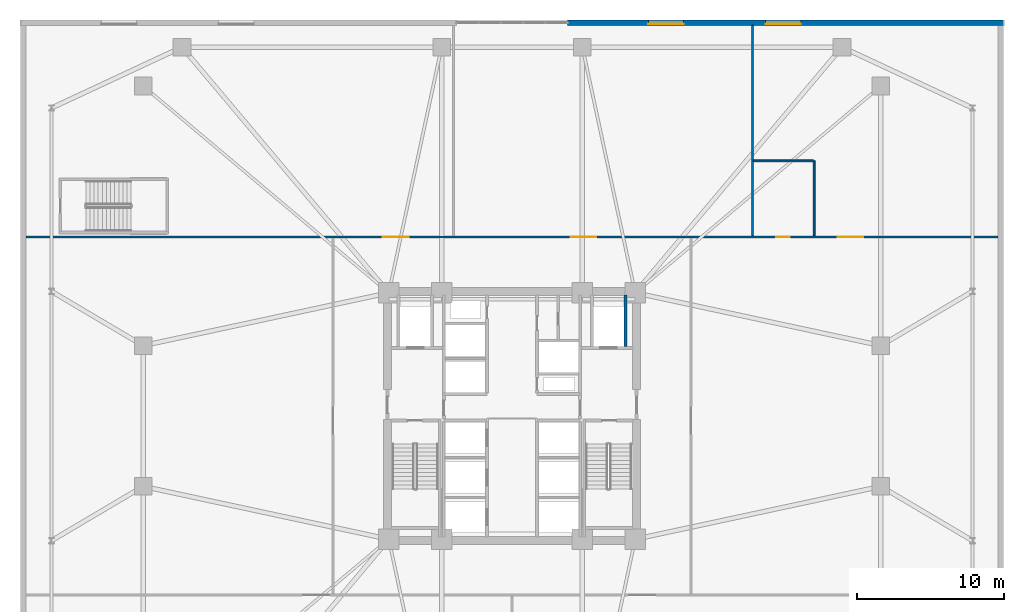
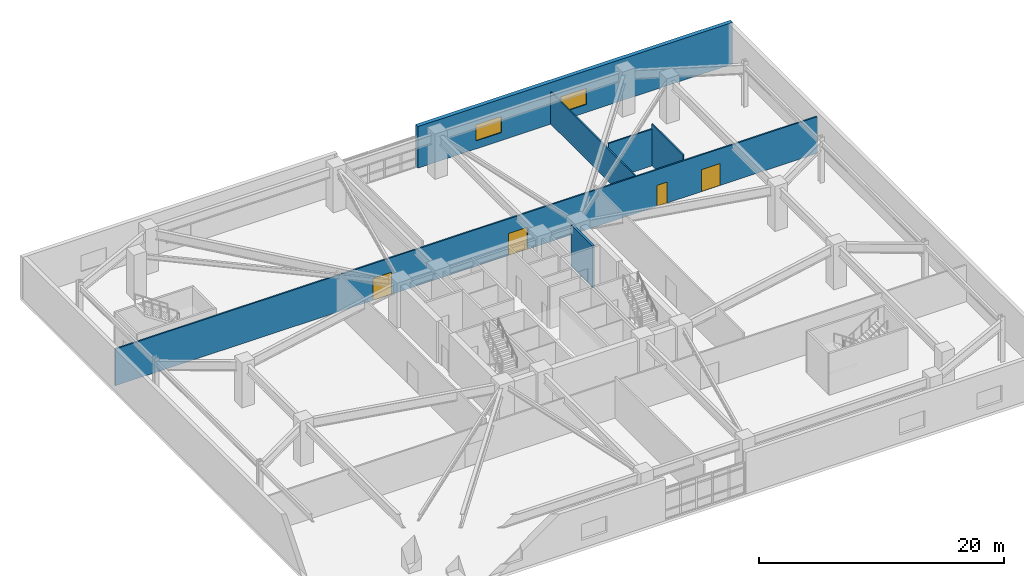
# One storey, part 14 of 21: 6 walls, 4 doors, 2 windows, 6 openings.
"""IFC4 building model written with IfcOpenShell, lengths in metres."""

from ifc_helpers import new_model, si_unit, direction, frame, frame_2d, origin, place, context, subcontext, project, spatial, rectangle, extrude, material, layer, layer_set, type_object, element, fill, save


model = new_model("IFC4")

# Units and contexts
model_context = context("Model", 3, precision=1e-05, world=origin(), true_north=direction((0.0, 1.0)))
body_context = subcontext(model_context, "Body", "Model", "MODEL_VIEW")
ifc_project = project(units=[si_unit("LENGTHUNIT", "METRE"), si_unit("AREAUNIT", "SQUARE_METRE"), si_unit("VOLUMEUNIT", "CUBIC_METRE"), si_unit("PLANEANGLEUNIT", "RADIAN"), si_unit("MASSUNIT", "GRAM", prefix="KILO")], contexts=[model_context])

# Site, building, storey
site_placement = place(None, origin())
site = spatial("IfcSite", under=ifc_project, at=site_placement, CompositionType="ELEMENT")
building_placement = place(site_placement, origin())
building = spatial("IfcBuilding", under=site, at=building_placement, Name="Cairnveth Concourse Tower", CompositionType="ELEMENT")
storey_placement = place(building_placement, frame((0.0, 0.0, 14.5)))
storey = spatial("IfcBuildingStorey", under=building, at=storey_placement, Name="L03", CompositionType="ELEMENT", Elevation=14.5)

# Wall
ifc_material_1 = material(Name="Concrete N50 (50 MPa)", Category="concrete")
ifc_layer_1 = layer(ifc_material_1, 0.199951171875)
ifc_layer_set_1 = layer_set([ifc_layer_1], Name="Concrete N50 (50 MPa)")
wall_type_1 = type_object("IfcWallType", Name="FIRE SHAFT WALL 200", PredefinedType="SOLIDWALL", material=ifc_layer_set_1)
wall_1_placement = place(storey_placement, frame((59.75, 43.735107421875, 0.0), z_axis=(0.0, 0.0, 1.0), x_axis=(0.0, 1.0, 0.0)))
element("IfcWall", 1, at=wall_1_placement, inside=storey, type_object=wall_type_1, Name="Interior Wall IW-L03-024", PredefinedType="SOLIDWALL", context=body_context, shape_type="SweptSolid", body=[
    extrude(rectangle(XDim=3.5048828125, YDim=0.199951171875, at=frame_2d((1.75244140625, 0.0))), origin(), (0.0, 0.0, 1.0), 4.14990234375),
])

# Wall, openings, doors
ifc_material_2 = material(Name="Gypsum Plasterboard Partition", Category="gypsum")
ifc_layer_2 = layer(ifc_material_2, 0.139892578125)
ifc_layer_set_2 = layer_set([ifc_layer_2], Name="Gypsum Plasterboard Partition")
wall_type_2 = type_object("IfcWallType", Name="GYPSUM STUD PARTITION 140", PredefinedType="PARTITIONING", material=ifc_layer_set_2)
wall_2_placement = place(storey_placement, frame((18.864990234375, 51.199951171875, 0.0), z_axis=(0.0, 0.0, 1.0), x_axis=(1.0, 0.0, 0.0)))
wall_2 = element("IfcWall", 2, at=wall_2_placement, inside=storey, type_object=wall_type_2, Name="Interior Wall IW-L03-039", PredefinedType="PARTITIONING", context=body_context, shape_type="SweptSolid", body=[
    extrude(rectangle(XDim=66.27001953125, YDim=0.139892578125, at=frame_2d((33.135009765625, 0.0))), origin(), (0.0, 0.0, 1.0), 3.66796875),
])
opening_1_placement = place(wall_2_placement, frame((24.3349609375, 0.0, 0.0)))
opening_1 = element("IfcOpeningElement", 3, at=opening_1_placement, cuts=wall_2, Name="Opening ID27", PredefinedType="OPENING", context=body_context, shape_type="SweptSolid", body=[
    extrude(rectangle(XDim=1.760009765625, YDim=2.199951171875, at=frame_2d((0.8798828125, 1.10009765625))), frame((0.0, 0.079833984375, 0.0), z_axis=(0.0, -1.0, 0.0), x_axis=(1.0, 0.0, 0.0)), (0.0, 0.0, 1.0), 0.159912109375),
])
opening_2_placement = place(wall_2_placement, frame((37.135009765625, 0.0, 0.0)))
opening_2 = element("IfcOpeningElement", 4, at=opening_2_placement, cuts=wall_2, Name="Opening ID27", PredefinedType="OPENING", context=body_context, shape_type="SweptSolid", body=[
    extrude(rectangle(XDim=1.760009765625, YDim=2.199951171875, at=frame_2d((0.8798828125, 1.10009765625))), frame((0.0, 0.079833984375, 0.0), z_axis=(0.0, -1.0, 0.0), x_axis=(1.0, 0.0, 0.0)), (0.0, 0.0, 1.0), 0.159912109375),
])
opening_3_placement = place(wall_2_placement, frame((51.135009765625, 0.0, 0.0)))
opening_3 = element("IfcOpeningElement", 5, at=opening_3_placement, cuts=wall_2, Name="Opening ID13", PredefinedType="OPENING", context=body_context, shape_type="SweptSolid", body=[
    extrude(rectangle(XDim=0.949951171875, YDim=2.10009765625, at=frame_2d((0.47509765625, 1.050048828125))), frame((0.0, 0.079833984375, 0.0), z_axis=(0.0, -1.0, 0.0), x_axis=(1.0, 0.0, 0.0)), (0.0, 0.0, 1.0), 0.159912109375),
])
opening_4_placement = place(wall_2_placement, frame((55.3349609375, 0.0, 0.0)))
opening_4 = element("IfcOpeningElement", 6, at=opening_4_placement, cuts=wall_2, Name="Opening ID27", PredefinedType="OPENING", context=body_context, shape_type="SweptSolid", body=[
    extrude(rectangle(XDim=1.760009765625, YDim=2.199951171875, at=frame_2d((0.8798828125, 1.10009765625))), frame((0.0, 0.079833984375, 0.0), z_axis=(0.0, -1.0, 0.0), x_axis=(1.0, 0.0, 0.0)), (0.0, 0.0, 1.0), 0.159912109375),
])
ifc_material_3 = material(Name="Solid Core Hardwood Timber Leaf", Category="wood")
door_type_1 = type_object("IfcDoorType", Name="ACCESSIBLE WC DOOR 950X2100", OperationType="NOTDEFINED", PredefinedType="DOOR", material=ifc_material_3)
door_1_placement = place(opening_3_placement, origin())
door_1 = element("IfcDoor", 7, at=door_1_placement, inside=storey, type_object=door_type_1, Name="Interior Door DR-L03-018", OperationType="SINGLE_SWING_RIGHT", OverallHeight=2.10009765625, OverallWidth=0.949951171875, PredefinedType="DOOR", context=body_context, shape_type="SweptSolid", body=[
    extrude(rectangle(XDim=0.949951171875, YDim=2.10009765625, at=frame_2d((0.47509765625, 1.050048828125))), frame((0.0, 0.02490234375, 0.0), z_axis=(0.0, -1.0, 0.0), x_axis=(1.0, 0.0, 0.0)), (0.0, 0.0, 1.0), 0.050048828125),
])
fill(opening_3, door_1)
door_type_2 = type_object("IfcDoorType", Name="CONCOURSE DOUBLE DOOR 1760X2200", OperationType="DOUBLE_DOOR_SINGLE_SWING", PredefinedType="DOOR", material=ifc_material_3)
door_2_placement = place(opening_1_placement, origin())
door_2 = element("IfcDoor", 8, at=door_2_placement, inside=storey, type_object=door_type_2, Name="Interior Door DR-L03-016", OperationType="DOUBLE_DOOR_SINGLE_SWING", OverallHeight=2.199951171875, OverallWidth=1.760009765625, PredefinedType="DOOR", context=body_context, shape_type="SweptSolid", body=[
    extrude(rectangle(XDim=1.760009765625, YDim=2.199951171875, at=frame_2d((0.8798828125, 1.10009765625))), frame((0.0, 0.02490234375, 0.0), z_axis=(0.0, -1.0, 0.0), x_axis=(1.0, 0.0, 0.0)), (0.0, 0.0, 1.0), 0.050048828125),
])
fill(opening_1, door_2)
door_3_placement = place(opening_2_placement, origin())
door_3 = element("IfcDoor", 9, at=door_3_placement, inside=storey, type_object=door_type_2, Name="Interior Door DR-L03-017", OperationType="DOUBLE_DOOR_SINGLE_SWING", OverallHeight=2.199951171875, OverallWidth=1.760009765625, PredefinedType="DOOR", context=body_context, shape_type="SweptSolid", body=[
    extrude(rectangle(XDim=1.760009765625, YDim=2.199951171875, at=frame_2d((0.8798828125, 1.10009765625))), frame((0.0, 0.02490234375, 0.0), z_axis=(0.0, -1.0, 0.0), x_axis=(1.0, 0.0, 0.0)), (0.0, 0.0, 1.0), 0.050048828125),
])
fill(opening_2, door_3)
door_4_placement = place(opening_4_placement, origin())
door_4 = element("IfcDoor", 10, at=door_4_placement, inside=storey, type_object=door_type_2, Name="Interior Door DR-L03-019", OperationType="DOUBLE_DOOR_SINGLE_SWING", OverallHeight=2.199951171875, OverallWidth=1.760009765625, PredefinedType="DOOR", context=body_context, shape_type="SweptSolid", body=[
    extrude(rectangle(XDim=1.760009765625, YDim=2.199951171875, at=frame_2d((0.8798828125, 1.10009765625))), frame((0.0, 0.02490234375, 0.0), z_axis=(0.0, -1.0, 0.0), x_axis=(1.0, 0.0, 0.0)), (0.0, 0.0, 1.0), 0.050048828125),
])
fill(opening_4, door_4)

# Wall, openings, windows
ifc_material_4 = material(Name="Hawthorn Red-Ochre Fired Clay Brick Masonry", Category="masonry")
ifc_layer_3 = layer(ifc_material_4, 0.3798828125)
ifc_layer_set_3 = layer_set([ifc_layer_3], Name="Hawthorn Red-Ochre Fired Clay Brick Masonry")
wall_type_3 = type_object("IfcWallType", Name="UPPER PODIUM BRICK WALL 380", PredefinedType="SOLIDWALL", material=ifc_layer_set_3)
wall_3_placement = place(storey_placement, frame((55.800048828125, 65.81005859375, 0.0), z_axis=(0.0, 0.0, 1.0), x_axis=(1.0, 0.0, 0.0)))
wall_3 = element("IfcWall", 11, at=wall_3_placement, inside=storey, type_object=wall_type_3, Name="Exterior Wall EW-L03-NE", PredefinedType="SOLIDWALL", context=body_context, shape_type="SweptSolid", body=[
    extrude(rectangle(XDim=29.699951171875, YDim=0.3798828125, at=frame_2d((14.85009765625, 0.0))), origin(), (0.0, 0.0, 1.0), 4.14990234375),
])
opening_5_placement = place(wall_3_placement, frame((5.5, 0.0, 0.800048828125)))
opening_5 = element("IfcOpeningElement", 12, at=opening_5_placement, cuts=wall_3, Name="Opening W11", PredefinedType="OPENING", context=body_context, shape_type="SweptSolid", body=[
    extrude(rectangle(XDim=2.39990234375, YDim=1.60009765625, at=frame_2d((1.199951171875, 0.800048828125))), frame((0.0, 0.199951171875, 0.0), z_axis=(0.0, -1.0, 0.0), x_axis=(1.0, 0.0, 0.0)), (0.0, 0.0, 1.0), 0.39990234375),
])
opening_6_placement = place(wall_3_placement, frame((13.5, 0.0, 0.800048828125)))
opening_6 = element("IfcOpeningElement", 13, at=opening_6_placement, cuts=wall_3, Name="Opening W11", PredefinedType="OPENING", context=body_context, shape_type="SweptSolid", body=[
    extrude(rectangle(XDim=2.39990234375, YDim=1.60009765625, at=frame_2d((1.199951171875, 0.800048828125))), frame((0.0, 0.199951171875, 0.0), z_axis=(0.0, -1.0, 0.0), x_axis=(1.0, 0.0, 0.0)), (0.0, 0.0, 1.0), 0.39990234375),
])
ifc_material_5 = material(Name="Double Glazed Low-E Clear Glass", Category="glass")
window_type = type_object("IfcWindowType", Name="DEEP-SET PODIUM CLERESTORY WINDOW 2400X1600", PartitioningType="DOUBLE_PANEL_VERTICAL", PredefinedType="WINDOW", material=ifc_material_5)
window_1_placement = place(opening_5_placement, origin())
window_1 = element("IfcWindow", 14, at=window_1_placement, inside=storey, type_object=window_type, Name="WIN-L03-NE-1", OverallHeight=1.60009765625, OverallWidth=2.39990234375, PartitioningType="SINGLE_PANEL", PredefinedType="WINDOW", context=body_context, shape_type="SweptSolid", body=[
    extrude(rectangle(XDim=2.39990234375, YDim=1.60009765625, at=frame_2d((1.199951171875, 0.800048828125))), frame((0.0, -0.050048828125, 0.0), z_axis=(0.0, -1.0, 0.0), x_axis=(1.0, 0.0, 0.0)), (0.0, 0.0, 1.0), 0.06005859375),
])
fill(opening_5, window_1)
window_2_placement = place(opening_6_placement, origin())
window_2 = element("IfcWindow", 15, at=window_2_placement, inside=storey, type_object=window_type, Name="WIN-L03-NE-2", OverallHeight=1.60009765625, OverallWidth=2.39990234375, PartitioningType="SINGLE_PANEL", PredefinedType="WINDOW", context=body_context, shape_type="SweptSolid", body=[
    extrude(rectangle(XDim=2.39990234375, YDim=1.60009765625, at=frame_2d((1.199951171875, 0.800048828125))), frame((0.0, -0.050048828125, 0.0), z_axis=(0.0, -1.0, 0.0), x_axis=(1.0, 0.0, 0.0)), (0.0, 0.0, 1.0), 0.06005859375),
])
fill(opening_6, window_2)

# Walls
ifc_layer_4 = layer(ifc_material_2, 0.1298828125)
ifc_layer_set_4 = layer_set([ifc_layer_4], Name="Gypsum Plasterboard Partition")
wall_type_4 = type_object("IfcWallType", Name="WET AREA PARTITION 140", PredefinedType="PLUMBINGWALL", material=ifc_layer_set_4)
wall_4_placement = place(storey_placement, frame((68.39990234375, 51.300048828125, 0.0), z_axis=(0.0, 0.0, 1.0), x_axis=(0.0, 1.0, 0.0)))
element("IfcWall", 16, at=wall_4_placement, inside=storey, type_object=wall_type_4, Name="Interior Wall IW-L03-044", PredefinedType="PLUMBINGWALL", context=body_context, shape_type="SweptSolid", body=[
    extrude(rectangle(XDim=14.3349609375, YDim=0.1298828125, at=frame_2d((7.16748046875, 0.0))), origin(), (0.0, 0.0, 1.0), 3.200927734375),
])
wall_5_placement = place(storey_placement, frame((72.60009765625, 51.300048828125, 0.0), z_axis=(0.0, 0.0, 1.0), x_axis=(0.0, 1.0, 0.0)))
element("IfcWall", 17, at=wall_5_placement, inside=storey, type_object=wall_type_4, Name="Interior Wall IW-L03-045", PredefinedType="PLUMBINGWALL", context=body_context, shape_type="SweptSolid", body=[
    extrude(rectangle(XDim=5.099853515625, YDim=0.1298828125, at=frame_2d((2.5498046875, 0.0))), origin(), (0.0, 0.0, 1.0), 4.14990234375),
])
wall_6_placement = place(storey_placement, frame((68.449951171875, 56.39990234375, 0.0), z_axis=(0.0, 0.0, 1.0), x_axis=(1.0, 0.0, 0.0)))
element("IfcWall", 18, at=wall_6_placement, inside=storey, type_object=wall_type_4, Name="Interior Wall IW-L03-046", PredefinedType="PLUMBINGWALL", context=body_context, shape_type="SweptSolid", body=[
    extrude(rectangle(XDim=4.10009765625, YDim=0.1298828125, at=frame_2d((2.050048828125, 0.0))), origin(), (0.0, 0.0, 1.0), 3.66796875),
])

save(model, "model.ifc")
